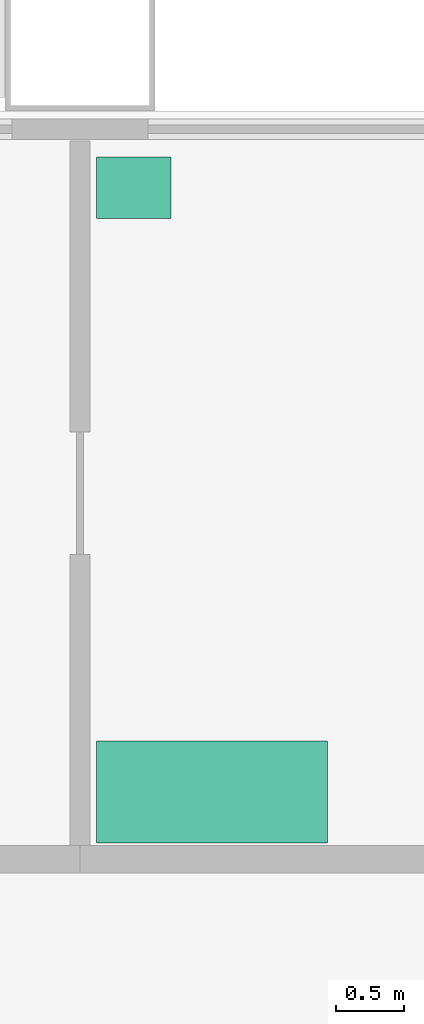
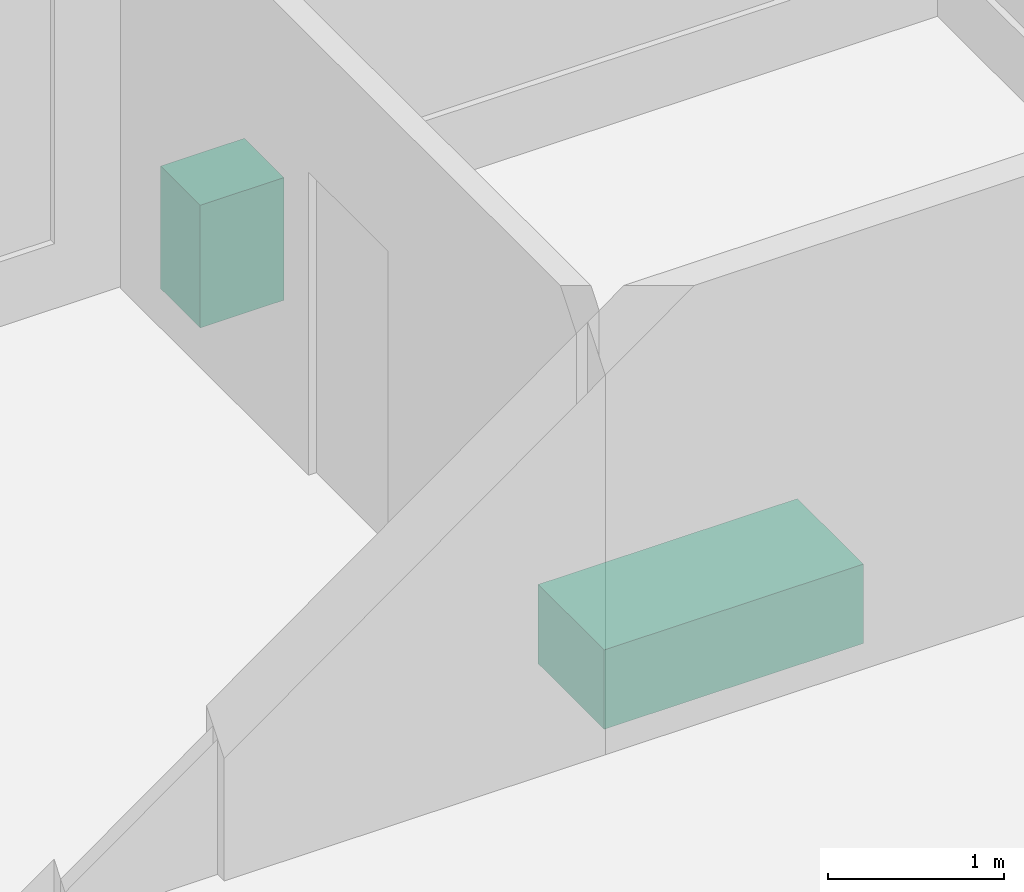
# One storey, part 7 of 7: 2 sanitary terminals.
"""IFC4 building model written with IfcOpenShell, lengths in metres."""

from ifc_helpers import new_model, si_unit, direction, frame, origin, origin_2d, place, context, subcontext, project, spatial, rectangle, extrude, material, type_object, element, save


model = new_model("IFC4")

# Units and contexts
model_context = context("Model", 3, precision=1e-05, world=origin(), true_north=direction((0.0, 1.0)))
body_context = subcontext(model_context, "Body", "Model", "MODEL_VIEW")
ifc_project = project(units=[si_unit("LENGTHUNIT", "METRE"), si_unit("AREAUNIT", "SQUARE_METRE"), si_unit("VOLUMEUNIT", "CUBIC_METRE"), si_unit("PLANEANGLEUNIT", "RADIAN"), si_unit("MASSUNIT", "GRAM", prefix="KILO")], contexts=[model_context])

# Site, building, storey
site_placement = place(None, origin())
site = spatial("IfcSite", under=ifc_project, at=site_placement, CompositionType="ELEMENT")
building_placement = place(site_placement, origin())
building = spatial("IfcBuilding", under=site, at=building_placement, Name="Kitamizu Gate Tower and Museum", CompositionType="ELEMENT")
storey_placement = place(building_placement, frame((0.0, 0.0, 242.10009765625)))
storey = spatial("IfcBuildingStorey", under=building, at=storey_placement, Name="L65", CompositionType="ELEMENT", Elevation=242.10009765625)

# Sanitary terminals
ifc_material_1 = material(Name="Acrylic")
sanitary_terminal_type_1 = type_object("IfcSanitaryTerminalType", Name="Bath", PredefinedType="BATH", material=ifc_material_1)
sanitary_terminal_1_placement = place(storey_placement, frame((48.969970703125, 42.4951171875, 0.0009765625), z_axis=(0.0, 0.0, 1.0), x_axis=(1.0, 0.0, 0.0)))
element("IfcSanitaryTerminal", 1, at=sanitary_terminal_1_placement, inside=storey, type_object=sanitary_terminal_type_1, Name="Bath Bathroom and WC 65B", PredefinedType="BATH", context=body_context, shape_type="SweptSolid", body=[
    extrude(rectangle(XDim=1.699951171875, YDim=0.75, at=origin_2d()), origin(), (0.0, 0.0, 1.0), 0.550048828125),
])
ifc_material_2 = material(Name="Vitreous china")
sanitary_terminal_type_2 = type_object("IfcSanitaryTerminalType", Name="Wash hand basin", PredefinedType="WASHHANDBASIN", material=ifc_material_2)
sanitary_terminal_2_placement = place(storey_placement, frame((48.39501953125, 46.93505859375, 0.000732421875), z_axis=(0.0, 0.0, 1.0), x_axis=(1.0, 0.0, 0.0)))
element("IfcSanitaryTerminal", 2, at=sanitary_terminal_2_placement, inside=storey, type_object=sanitary_terminal_type_2, Name="Wash hand basin Bathroom and WC 65B", PredefinedType="WASHHANDBASIN", context=body_context, shape_type="SweptSolid", body=[
    extrude(rectangle(XDim=0.550048828125, YDim=0.449951171875, at=origin_2d()), origin(), (0.0, 0.0, 1.0), 0.85009765625),
])

save(model, "model.ifc")
